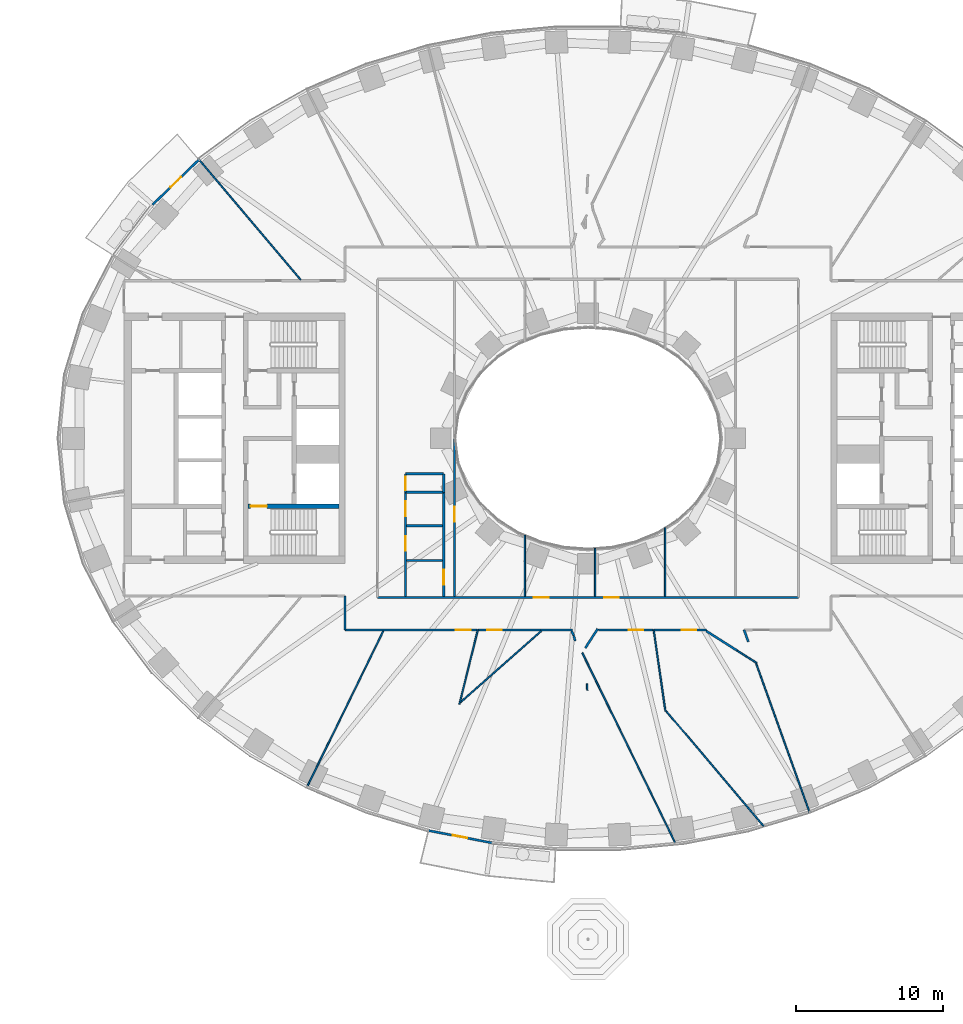
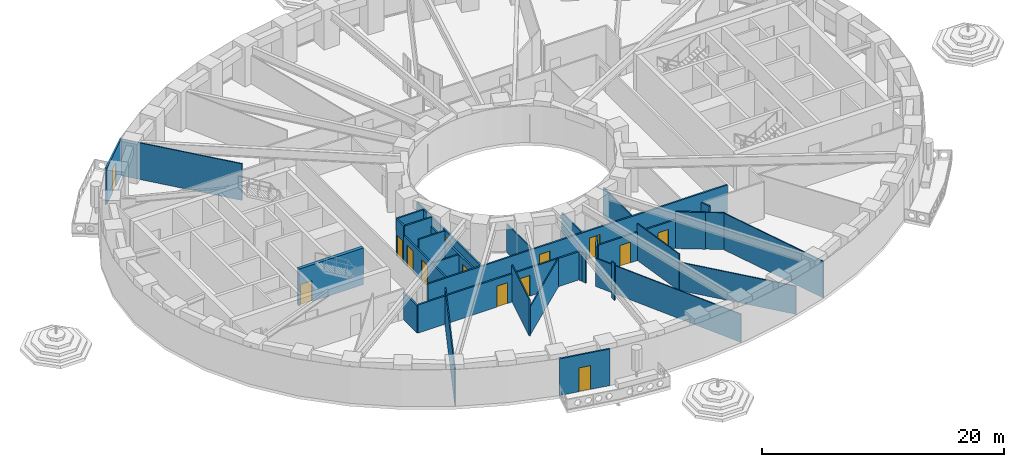
# One storey, part 4 of 20: 36 walls, 14 doors, 14 openings.
"""IFC4 building model written with IfcOpenShell, lengths in metres."""

import ifcopenshell
import ifcopenshell.guid

model = None  # the IFC model being written
_history = None  # IfcOwnerHistory: only IFC2X3 demands one
_inside = {}  # id of a spatial element -> (the spatial element, [elements in it])
_under = {}  # id of a project, library or spatial element -> (it, [spatial elements below it])
_declared = {}  # id of a project -> (the project, [libraries it declares])
_typed = {}  # id of a type object -> (the type object, [elements of that type])
_made_of = {}  # id of a material, layer set ... -> (it, [elements and type objects made of it])


def new_model(schema):
    """Start an empty IFC model of exactly this schema.

    Asked for "IFC4X3", IfcOpenShell would pick the latest addendum, in which some entities
    have other attributes; the version numbers below select the first issue.
    IFC2X3 requires an IfcOwnerHistory on every rooted entity: one is made here for all.
    """
    global model, _history
    if schema == "IFC4X3":
        model = ifcopenshell.file(schema_version=(4, 3, 0, 0))
    else:
        model = ifcopenshell.file(schema=schema)
    _inside.clear()
    _under.clear()
    _declared.clear()
    _typed.clear()
    _made_of.clear()
    _history = None
    if model.schema == "IFC2X3":
        org = make("IfcOrganization", Name="unknown")
        user = make(
            "IfcPersonAndOrganization",
            ThePerson=make("IfcPerson", FamilyName="unknown"),
            TheOrganization=org,
        )
        app = make(
            "IfcApplication",
            ApplicationDeveloper=org,
            Version="unknown",
            ApplicationFullName="unknown",
            ApplicationIdentifier="unknown",
        )
        _history = make(
            "IfcOwnerHistory",
            OwningUser=user,
            OwningApplication=app,
            ChangeAction="ADDED",
            CreationDate=0,
        )
    return model


def make(cls, **values):
    """One entity of the class cls with the attributes given. An attribute that is None is left unset."""
    return model.create_entity(
        cls, **{name: value for name, value in values.items() if value is not None}
    )


def rooted(cls, **values):
    """An entity with a GlobalId (a new one), such as an element, a storey or a relation."""
    return make(cls, GlobalId=ifcopenshell.guid.new(), OwnerHistory=_history, **values)


def si_unit(unit_type, name, prefix=None):
    """IfcSIUnit, for example si_unit("LENGTHUNIT", "METRE", prefix="MILLI")."""
    return make("IfcSIUnit", UnitType=unit_type, Prefix=prefix, Name=name)


def assignment(units):
    """IfcUnitAssignment: the units of a project."""
    return None if units is None else make("IfcUnitAssignment", Units=units)


def point(xyz):
    """IfcCartesianPoint."""
    return None if xyz is None else make("IfcCartesianPoint", Coordinates=xyz)


def direction(xyz):
    """IfcDirection."""
    return None if xyz is None else make("IfcDirection", DirectionRatios=xyz)


def frame(location, z_axis=None, x_axis=None):
    """IfcAxis2Placement3D, a coordinate frame: its origin and axes. An axis left out is left unset."""
    return make(
        "IfcAxis2Placement3D",
        Location=point(location),
        Axis=direction(z_axis),
        RefDirection=direction(x_axis),
    )


def frame_2d(location, x_axis=None):
    """IfcAxis2Placement2D, a coordinate frame in the plane: its origin and x axis."""
    return make(
        "IfcAxis2Placement2D", Location=point(location), RefDirection=direction(x_axis)
    )


def origin():
    """The frame at (0, 0, 0) with its axes left unset."""
    return frame((0.0, 0.0, 0.0))


def place(relative_to, where):
    """IfcLocalPlacement: puts the frame where relative to a parent placement (None: the world)."""
    return make(
        "IfcLocalPlacement", PlacementRelTo=relative_to, RelativePlacement=where
    )


def context(
    kind, dimensions, precision=None, world=None, true_north=None, identifier=None
):
    """IfcGeometricRepresentationContext, for example the 3D "Model" context."""
    return make(
        "IfcGeometricRepresentationContext",
        ContextIdentifier=identifier,
        ContextType=kind,
        CoordinateSpaceDimension=dimensions,
        Precision=precision,
        WorldCoordinateSystem=world,
        TrueNorth=true_north,
    )


def subcontext(parent, identifier, kind, view, scale=None):
    """IfcGeometricRepresentationSubContext, for example "Body" below "Model"."""
    return make(
        "IfcGeometricRepresentationSubContext",
        ContextIdentifier=identifier,
        ContextType=kind,
        ParentContext=parent,
        TargetScale=scale,
        TargetView=view,
    )


def project(units=None, contexts=None):
    """IfcProject with its units and contexts."""
    return rooted(
        "IfcProject",
        Name="project",
        RepresentationContexts=contexts,
        UnitsInContext=assignment(units),
    )


def spatial(cls, under=None, at=None, **own):
    """A site, building, storey or space (cls), placed at a placement, below another one or the project."""
    s = rooted(cls, ObjectPlacement=at, **own)
    if under is not None:
        _under.setdefault(under.id(), (under, []))[1].append(s)
    return s


def profile(cls, at=None, kind="AREA", **sizes):
    """A parametric profile (cls). Its sizes go by their IFC names, for example OverallWidth=200.0."""
    return make(cls, ProfileType=kind, Position=at, **sizes)


def rectangle(**sizes):
    """IfcRectangleProfileDef."""
    return profile("IfcRectangleProfileDef", **sizes)


def extrude(swept, where, along, depth):
    """IfcExtrudedAreaSolid: the profile swept, set in the frame where, extruded along a direction by depth."""
    return make(
        "IfcExtrudedAreaSolid",
        SweptArea=swept,
        Position=where,
        ExtrudedDirection=direction(along),
        Depth=depth,
    )


def shape(context_of_items, identifier, shape_type, items):
    """IfcShapeRepresentation: the items that make up one representation, for example the "Body"."""
    return make(
        "IfcShapeRepresentation",
        ContextOfItems=context_of_items,
        RepresentationIdentifier=identifier,
        RepresentationType=shape_type,
        Items=items,
    )


def material(Name=None, Category=None):
    """IfcMaterial."""
    return make("IfcMaterial", Name=Name, Category=Category)


def layer(
    of_material, thickness, ventilated=None, Name=None, Category=None, Priority=None
):
    """IfcMaterialLayer: one layer of a wall or slab, of a material (None: an air gap)."""
    return make(
        "IfcMaterialLayer",
        Material=of_material,
        LayerThickness=thickness,
        IsVentilated=ventilated,
        Name=Name,
        Category=Category,
        Priority=Priority,
    )


def layer_set(layers, Name=None):
    """IfcMaterialLayerSet."""
    return make("IfcMaterialLayerSet", MaterialLayers=layers, LayerSetName=Name)


def made_of(thing, what):
    """Note that an element or type object is made of a material, layer set ...; save() writes the relation."""
    if what is not None:
        _made_of.setdefault(what.id(), (what, []))[1].append(thing)
    return thing


def type_object(cls, material=None, **own):
    """A type object (cls), such as IfcWallType, which elements share."""
    return made_of(rooted(cls, **own), material)


def element(
    cls,
    number,
    at=None,
    inside=None,
    cuts=None,
    type_object=None,
    material=None,
    context=None,
    identifier="Body",
    shape_type=None,
    held_by="IfcProductDefinitionShape",
    body=None,
    shapes=None,
    **own,
):
    """One element of the class cls, such as IfcWall. Its Tag is "e" and its number.

    at: its placement. inside: the storey or other place that contains it. cuts: it is an
    opening in that element (IfcRelVoidsElement). A single representation is given by context,
    identifier, shape_type and body (its items); several are given by shapes. held_by: the class
    of the entity that holds the representations. save() writes the other relations.
    """
    e = rooted(cls, Tag="e%d" % number, ObjectPlacement=at, **own)
    if body is not None:
        shapes = [shape(context, identifier, shape_type, body)]
    if shapes is not None:
        e.Representation = make(held_by, Representations=shapes)
    if inside is not None:
        _inside.setdefault(inside.id(), (inside, []))[1].append(e)
    if cuts is not None:
        rooted(
            "IfcRelVoidsElement", RelatingBuildingElement=cuts, RelatedOpeningElement=e
        )
    if type_object is not None:
        _typed.setdefault(type_object.id(), (type_object, []))[1].append(e)
    return made_of(e, material)


def fill(opening, filler):
    """IfcRelFillsElement: the door or window that sits in an opening."""
    return rooted(
        "IfcRelFillsElement",
        RelatingOpeningElement=opening,
        RelatedBuildingElement=filler,
    )


def aggregate(whole, parts):
    """IfcRelAggregates: a whole, such as a stair, and the parts it consists of."""
    return rooted("IfcRelAggregates", RelatingObject=whole, RelatedObjects=parts)


def save(model, path):
    """Write the relations noted so far, then the file.

    IfcRelAggregates (storeys below a building ...), IfcRelContainedInSpatialStructure (elements
    in a storey), IfcRelDefinesByType, IfcRelAssociatesMaterial and IfcRelDeclares: one each for
    every whole, place, type object, material and project.
    """
    for whole, parts in _under.values():
        aggregate(whole, parts)
    for where, things in _inside.values():
        rooted(
            "IfcRelContainedInSpatialStructure",
            RelatedElements=things,
            RelatingStructure=where,
        )
    for kind, things in _typed.values():
        rooted("IfcRelDefinesByType", RelatedObjects=things, RelatingType=kind)
    for what, things in _made_of.values():
        rooted("IfcRelAssociatesMaterial", RelatedObjects=things, RelatingMaterial=what)
    for by, libraries in _declared.values():
        rooted("IfcRelDeclares", RelatingContext=by, RelatedDefinitions=libraries)
    model.write(path)


model = new_model("IFC4")

# Units and contexts
model_context = context("Model", 3, precision=1e-05, world=origin(), true_north=direction((0.0, 1.0)))
body_context = subcontext(model_context, "Body", "Model", "MODEL_VIEW")
ifc_project = project(units=[si_unit("LENGTHUNIT", "METRE"), si_unit("AREAUNIT", "SQUARE_METRE"), si_unit("VOLUMEUNIT", "CUBIC_METRE"), si_unit("PLANEANGLEUNIT", "RADIAN"), si_unit("MASSUNIT", "GRAM", prefix="KILO")], contexts=[model_context])

# Site, building, storey
site_placement = place(None, origin())
site = spatial("IfcSite", under=ifc_project, at=site_placement, CompositionType="ELEMENT")
building_placement = place(site_placement, origin())
building = spatial("IfcBuilding", under=site, at=building_placement, Name="Noorbagh Ring Tower", CompositionType="ELEMENT")
storey_placement = place(building_placement, frame((0.0, 0.0, 34.5)))
storey = spatial("IfcBuildingStorey", under=building, at=storey_placement, Name="L06", CompositionType="ELEMENT", Elevation=34.5)

# Wall, opening, door
ifc_material_1 = material(Name="Gypsum board on steel studs", Category="steel")
ifc_layer_1 = layer(ifc_material_1, 0.14990234375)
ifc_layer_set_1 = layer_set([ifc_layer_1], Name="Gypsum board on steel studs")
wall_type_1 = type_object("IfcWallType", Name="COMPARTMENT PARTITION 150 EI 60", PredefinedType="PARTITIONING", material=ifc_layer_set_1)
wall_1_placement = place(storey_placement, frame((-12.39990234375, -3.659912109375, 0.0), z_axis=(0.0, 0.0, 1.0), x_axis=(0.0, 1.0, 0.0)))
wall_1 = element("IfcWall", 1, at=wall_1_placement, inside=storey, type_object=wall_type_1, Name="L06/wall/P22", PredefinedType="PARTITIONING", context=body_context, shape_type="SweptSolid", body=[
    extrude(rectangle(XDim=1.260009765625, YDim=0.14990234375, at=frame_2d((0.6298828125, 0.0))), origin(), (0.0, 0.0, 1.0), 3.699951171875),
])
opening_1_placement = place(wall_1_placement, frame((0.14990234375, 0.0, 0.0)))
opening_1 = element("IfcOpeningElement", 2, at=opening_1_placement, cuts=wall_1, Name="Opening D4", PredefinedType="OPENING", context=body_context, shape_type="SweptSolid", body=[
    extrude(rectangle(XDim=0.89990234375, YDim=2.10009765625, at=frame_2d((0.449951171875, 1.050048828125))), frame((0.0, 0.0849609375, 0.0), z_axis=(0.0, -1.0, 0.0), x_axis=(1.0, 0.0, 0.0)), (0.0, 0.0, 1.0), 0.169921875),
])
ifc_material_2 = material(Name="Timber, painted", Category="wood")
door_type_1 = type_object("IfcDoorType", Name="DOOR 900 X 2100 FD60", OperationType="SINGLE_SWING_LEFT", PredefinedType="DOOR", material=ifc_material_2)
door_1_placement = place(opening_1_placement, origin())
door_1 = element("IfcDoor", 3, at=door_1_placement, inside=storey, type_object=door_type_1, Name="L06-D05", OperationType="SINGLE_SWING_LEFT", OverallHeight=2.10009765625, OverallWidth=0.89990234375, PredefinedType="DOOR", context=body_context, shape_type="SweptSolid", body=[
    extrude(rectangle(XDim=0.89990234375, YDim=2.10009765625, at=frame_2d((0.449951171875, 1.050048828125))), frame((0.0, 0.02490234375, 0.0), z_axis=(0.0, -1.0, 0.0), x_axis=(1.0, 0.0, 0.0)), (0.0, 0.0, 1.0), 0.050048828125),
])
fill(opening_1, door_1)

# Walls
wall_2_placement = place(storey_placement, frame((-12.39990234375, -3.659912109375, 0.0), z_axis=(0.0, 0.0, 1.0), x_axis=(1.0, 0.0, 0.0)))
element("IfcWall", 4, at=wall_2_placement, inside=storey, type_object=wall_type_1, Name="L06/wall/P23", PredefinedType="PARTITIONING", context=body_context, shape_type="SweptSolid", body=[
    extrude(rectangle(XDim=2.599853515625, YDim=0.14990234375, at=frame_2d((1.2998046875, 0.0))), origin(), (0.0, 0.0, 1.0), 3.699951171875),
])
wall_3_placement = place(storey_placement, frame((-12.39990234375, -2.39990234375, 0.0), z_axis=(0.0, 0.0, 1.0), x_axis=(1.0, 0.0, 0.0)))
element("IfcWall", 5, at=wall_3_placement, inside=storey, type_object=wall_type_1, Name="L06/wall/P24", PredefinedType="PARTITIONING", context=body_context, shape_type="SweptSolid", body=[
    extrude(rectangle(XDim=2.595947265625, YDim=0.14990234375, at=frame_2d((1.2978515625, 0.0))), origin(), (0.0, 0.0, 1.0), 3.699951171875),
])
wall_4_placement = place(storey_placement, frame((-9.800048828125, -3.659912109375, 0.0), z_axis=(0.0, 0.0, 1.0), x_axis=(0.0, 1.0, 0.0)))
element("IfcWall", 6, at=wall_4_placement, inside=storey, type_object=wall_type_1, Name="L06/wall/P27", PredefinedType="PARTITIONING", context=body_context, shape_type="SweptSolid", body=[
    extrude(rectangle(XDim=1.255859375, YDim=0.14990234375, at=frame_2d((0.6279296875, 0.0))), origin(), (0.0, 0.0, 1.0), 3.699951171875),
])

# Wall, opening, door
ifc_material_3 = material(Name="Concrete C70/85", Category="concrete")
ifc_layer_2 = layer(ifc_material_3, 0.300048828125)
ifc_layer_set_2 = layer_set([ifc_layer_2], Name="Concrete C70/85")
wall_type_2 = type_object("IfcWallType", Name="CORE-WALL-300-C70-85-EI240", PredefinedType="SHEAR", material=ifc_layer_set_2)
wall_5_placement = place(storey_placement, frame((-16.89990234375, -4.60009765625, 0.0), z_axis=(0.0, 0.0, 1.0), x_axis=(-1.0, 0.0, 0.0)))
wall_5 = element("IfcWall", 7, at=wall_5_placement, inside=storey, type_object=wall_type_2, Name="Core wall W", PredefinedType="SHEAR", context=body_context, shape_type="SweptSolid", body=[
    extrude(rectangle(XDim=6.18017578125, YDim=0.300048828125, at=frame_2d((3.090087890625, 0.0))), origin(), (0.0, 0.0, 1.0), 3.699951171875),
])
opening_2_placement = place(wall_5_placement, frame((4.89990234375, 0.0, 0.0)))
opening_2 = element("IfcOpeningElement", 8, at=opening_2_placement, cuts=wall_5, Name="Opening L06-CW06", PredefinedType="OPENING", context=body_context, shape_type="SweptSolid", body=[
    extrude(rectangle(XDim=1.10009765625, YDim=2.10009765625, at=frame_2d((0.550048828125, 1.050048828125))), frame((0.0, 0.16015625, 0.0), z_axis=(0.0, -1.0, 0.0), x_axis=(1.0, 0.0, 0.0)), (0.0, 0.0, 1.0), 0.320068359375),
])
ifc_material_4 = material(Name="Steel door leaf", Category="steel")
door_type_2 = type_object("IfcDoorType", Name="CORE-DOOR-DSTAIR", OperationType="SINGLE_SWING_LEFT", PredefinedType="DOOR", material=ifc_material_4)
door_2_placement = place(opening_2_placement, origin())
door_2 = element("IfcDoor", 9, at=door_2_placement, inside=storey, type_object=door_type_2, Name="Stair door ST2 L06-CW06", OperationType="SINGLE_SWING_LEFT", OverallHeight=2.10009765625, OverallWidth=1.10009765625, PredefinedType="DOOR", context=body_context, shape_type="SweptSolid", body=[
    extrude(rectangle(XDim=1.10009765625, YDim=2.10009765625, at=frame_2d((0.550048828125, 1.050048828125))), frame((0.0, 0.02490234375, 0.0), z_axis=(0.0, -1.0, 0.0), x_axis=(1.0, 0.0, 0.0)), (0.0, 0.0, 1.0), 0.050048828125),
])
fill(opening_2, door_2)

# Wall
ifc_material_5 = material(Name="Gypsum board on steel studs", Category="steel")
ifc_layer_3 = layer(ifc_material_5, 0.14990234375)
ifc_layer_set_3 = layer_set([ifc_layer_3], Name="Gypsum board on steel studs")
wall_type_3 = type_object("IfcWallType", Name="CORRIDOR PARTITION 150 EI 30", PredefinedType="PARTITIONING", material=ifc_layer_set_3)
wall_6_placement = place(storey_placement, frame((-16.5, -13.0, 0.0), z_axis=(0.0, 0.0, 1.0), x_axis=(0.0, 1.0, 0.0)))
element("IfcWall", 10, at=wall_6_placement, inside=storey, type_object=wall_type_3, Name="L06/wall/P12", PredefinedType="PARTITIONING", context=body_context, shape_type="SweptSolid", body=[
    extrude(rectangle(XDim=2.300048828125, YDim=0.14990234375, at=frame_2d((1.14990234375, 0.0))), origin(), (0.0, 0.0, 1.0), 2.75),
])

# Wall, opening, door
wall_7_placement = place(storey_placement, frame((-16.5, -13.0, 0.0), z_axis=(0.0, 0.0, 1.0), x_axis=(1.0, 0.0, 0.0)))
wall_7 = element("IfcWall", 11, at=wall_7_placement, inside=storey, type_object=wall_type_3, Name="L06/wall/P13", PredefinedType="PARTITIONING", context=body_context, shape_type="SweptSolid", body=[
    extrude(rectangle(XDim=9.0009765625, YDim=0.14990234375, at=frame_2d((4.50048828125, 0.0))), origin(), (0.0, 0.0, 1.0), 2.85009765625),
])
opening_3_placement = place(wall_7_placement, frame((7.529052734375, 0.0, 0.0)))
opening_3 = element("IfcOpeningElement", 12, at=opening_3_placement, cuts=wall_7, Name="Opening D1", PredefinedType="OPENING", context=body_context, shape_type="SweptSolid", body=[
    extrude(rectangle(XDim=1.0, YDim=2.10009765625, at=frame_2d((0.5, 1.050048828125))), frame((0.0, 0.0849609375, 0.0), z_axis=(0.0, -1.0, 0.0), x_axis=(1.0, 0.0, 0.0)), (0.0, 0.0, 1.0), 0.169921875),
])
ifc_material_6 = material(Name="Timber, painted", Category="wood")
door_type_3 = type_object("IfcDoorType", Name="DOOR 1000 X 2100 FD30", OperationType="SINGLE_SWING_LEFT", PredefinedType="DOOR", material=ifc_material_6)
door_3_placement = place(opening_3_placement, origin())
door_3 = element("IfcDoor", 13, at=door_3_placement, inside=storey, type_object=door_type_3, Name="L06-D12", OperationType="SINGLE_SWING_RIGHT", OverallHeight=2.10009765625, OverallWidth=1.0, PredefinedType="DOOR", context=body_context, shape_type="SweptSolid", body=[
    extrude(rectangle(XDim=1.0, YDim=2.10009765625, at=frame_2d((0.5, 1.050048828125))), frame((0.0, 0.02490234375, 0.0), z_axis=(0.0, -1.0, 0.0), x_axis=(1.0, 0.0, 0.0)), (0.0, 0.0, 1.0), 0.050048828125),
])
fill(opening_3, door_3)

# Wall, openings, doors
wall_8_placement = place(storey_placement, frame((-14.300048828125, -10.800048828125, 0.0), z_axis=(0.0, 0.0, 1.0), x_axis=(1.0, 0.0, 0.0)))
wall_8 = element("IfcWall", 14, at=wall_8_placement, inside=storey, type_object=wall_type_3, Name="L06/wall/P17", PredefinedType="PARTITIONING", context=body_context, shape_type="SweptSolid", body=[
    extrude(rectangle(XDim=28.60009765625, YDim=0.14990234375, at=frame_2d((14.300048828125, 0.0))), origin(), (0.0, 0.0, 1.0), 2.85009765625),
])
opening_4_placement = place(wall_8_placement, frame((10.626953125, 0.0, 0.0)))
opening_4 = element("IfcOpeningElement", 15, at=opening_4_placement, cuts=wall_8, Name="Opening D1", PredefinedType="OPENING", context=body_context, shape_type="SweptSolid", body=[
    extrude(rectangle(XDim=1.0, YDim=2.10009765625, at=frame_2d((0.5, 1.050048828125))), frame((0.0, 0.0849609375, 0.0), z_axis=(0.0, -1.0, 0.0), x_axis=(1.0, 0.0, 0.0)), (0.0, 0.0, 1.0), 0.169921875),
])
opening_5_placement = place(wall_8_placement, frame((15.39306640625, 0.0, 0.0)))
opening_5 = element("IfcOpeningElement", 16, at=opening_5_placement, cuts=wall_8, Name="Opening D1", PredefinedType="OPENING", context=body_context, shape_type="SweptSolid", body=[
    extrude(rectangle(XDim=1.0, YDim=2.10009765625, at=frame_2d((0.5, 1.050048828125))), frame((0.0, 0.0849609375, 0.0), z_axis=(0.0, -1.0, 0.0), x_axis=(1.0, 0.0, 0.0)), (0.0, 0.0, 1.0), 0.169921875),
])
door_4_placement = place(opening_4_placement, origin())
door_4 = element("IfcDoor", 17, at=door_4_placement, inside=storey, type_object=door_type_3, Name="L06-D26", OperationType="SINGLE_SWING_RIGHT", OverallHeight=2.10009765625, OverallWidth=1.0, PredefinedType="DOOR", context=body_context, shape_type="SweptSolid", body=[
    extrude(rectangle(XDim=1.0, YDim=2.10009765625, at=frame_2d((0.5, 1.050048828125))), frame((0.0, 0.02490234375, 0.0), z_axis=(0.0, -1.0, 0.0), x_axis=(1.0, 0.0, 0.0)), (0.0, 0.0, 1.0), 0.050048828125),
])
fill(opening_4, door_4)
door_5_placement = place(opening_5_placement, origin())
door_5 = element("IfcDoor", 18, at=door_5_placement, inside=storey, type_object=door_type_3, Name="L06-D28", OperationType="SINGLE_SWING_RIGHT", OverallHeight=2.10009765625, OverallWidth=1.0, PredefinedType="DOOR", context=body_context, shape_type="SweptSolid", body=[
    extrude(rectangle(XDim=1.0, YDim=2.10009765625, at=frame_2d((0.5, 1.050048828125))), frame((0.0, 0.02490234375, 0.0), z_axis=(0.0, -1.0, 0.0), x_axis=(1.0, 0.0, 0.0)), (0.0, 0.0, 1.0), 0.050048828125),
])
fill(opening_5, door_5)

wall_9_placement = place(storey_placement, frame((-12.39990234375, -10.72509765625, 0.0), z_axis=(0.0, 0.0, 1.0), x_axis=(0.0, 1.0, 0.0)))
wall_9 = element("IfcWall", 19, at=wall_9_placement, inside=storey, type_object=wall_type_3, Name="L06/wall/P19", PredefinedType="PARTITIONING", context=body_context, shape_type="SweptSolid", body=[
    extrude(rectangle(XDim=7.065185546875, YDim=0.14990234375, at=frame_2d((3.53271484375, 0.0))), origin(), (0.0, 0.0, 1.0), 2.75),
])
opening_6_placement = place(wall_9_placement, frame((3.094970703125, 0.0, 0.0)))
opening_6 = element("IfcOpeningElement", 20, at=opening_6_placement, cuts=wall_9, Name="Opening D3", PredefinedType="OPENING", context=body_context, shape_type="SweptSolid", body=[
    extrude(rectangle(XDim=1.0, YDim=2.10009765625, at=frame_2d((0.5, 1.050048828125))), frame((0.0, 0.0849609375, 0.0), z_axis=(0.0, -1.0, 0.0), x_axis=(1.0, 0.0, 0.0)), (0.0, 0.0, 1.0), 0.169921875),
])
opening_7_placement = place(wall_9_placement, frame((5.447021484375, 0.0, 0.0)))
opening_7 = element("IfcOpeningElement", 21, at=opening_7_placement, cuts=wall_9, Name="Opening D3", PredefinedType="OPENING", context=body_context, shape_type="SweptSolid", body=[
    extrude(rectangle(XDim=1.0, YDim=2.10009765625, at=frame_2d((0.5, 1.050048828125))), frame((0.0, 0.0849609375, 0.0), z_axis=(0.0, -1.0, 0.0), x_axis=(1.0, 0.0, 0.0)), (0.0, 0.0, 1.0), 0.169921875),
])
ifc_material_7 = material(Name="Timber, painted", Category="wood")
door_type_4 = type_object("IfcDoorType", Name="DOOR 1000 X 2100 WC", OperationType="SINGLE_SWING_LEFT", PredefinedType="DOOR", material=ifc_material_7)
door_6_placement = place(opening_6_placement, origin())
door_6 = element("IfcDoor", 22, at=door_6_placement, inside=storey, type_object=door_type_4, Name="L06-D03", OperationType="SINGLE_SWING_LEFT", OverallHeight=2.10009765625, OverallWidth=1.0, PredefinedType="DOOR", context=body_context, shape_type="SweptSolid", body=[
    extrude(rectangle(XDim=1.0, YDim=2.10009765625, at=frame_2d((0.5, 1.050048828125))), frame((0.0, 0.02490234375, 0.0), z_axis=(0.0, -1.0, 0.0), x_axis=(1.0, 0.0, 0.0)), (0.0, 0.0, 1.0), 0.050048828125),
])
fill(opening_6, door_6)
door_7_placement = place(opening_7_placement, origin())
door_7 = element("IfcDoor", 23, at=door_7_placement, inside=storey, type_object=door_type_4, Name="L06-D04", OperationType="SINGLE_SWING_RIGHT", OverallHeight=2.10009765625, OverallWidth=1.0, PredefinedType="DOOR", context=body_context, shape_type="SweptSolid", body=[
    extrude(rectangle(XDim=1.0, YDim=2.10009765625, at=frame_2d((0.5, 1.050048828125))), frame((0.0, 0.02490234375, 0.0), z_axis=(0.0, -1.0, 0.0), x_axis=(1.0, 0.0, 0.0)), (0.0, 0.0, 1.0), 0.050048828125),
])
fill(opening_7, door_7)

# Walls
wall_10_placement = place(storey_placement, frame((-12.324951171875, -8.280029296875, 0.0), z_axis=(0.0, 0.0, 1.0), x_axis=(1.0, 0.0, 0.0)))
element("IfcWall", 24, at=wall_10_placement, inside=storey, type_object=wall_type_3, Name="L06/wall/P20", PredefinedType="PARTITIONING", context=body_context, shape_type="SweptSolid", body=[
    extrude(rectangle(XDim=2.449951171875, YDim=0.14990234375, at=frame_2d((1.22509765625, 0.0))), origin(), (0.0, 0.0, 1.0), 2.75),
])
wall_11_placement = place(storey_placement, frame((-12.324951171875, -5.927978515625, 0.0), z_axis=(0.0, 0.0, 1.0), x_axis=(1.0, 0.0, 0.0)))
element("IfcWall", 25, at=wall_11_placement, inside=storey, type_object=wall_type_3, Name="L06/wall/P21", PredefinedType="PARTITIONING", context=body_context, shape_type="SweptSolid", body=[
    extrude(rectangle(XDim=2.449951171875, YDim=0.14990234375, at=frame_2d((1.22509765625, 0.0))), origin(), (0.0, 0.0, 1.0), 3.699951171875),
])

# Wall, opening, door
wall_12_placement = place(storey_placement, frame((-9.800048828125, -10.72509765625, 0.0), z_axis=(0.0, 0.0, 1.0), x_axis=(0.0, 1.0, 0.0)))
wall_12 = element("IfcWall", 26, at=wall_12_placement, inside=storey, type_object=wall_type_3, Name="L06/wall/P26", PredefinedType="PARTITIONING", context=body_context, shape_type="SweptSolid", body=[
    extrude(rectangle(XDim=7.065185546875, YDim=0.14990234375, at=frame_2d((3.53271484375, 0.0))), origin(), (0.0, 0.0, 1.0), 2.75),
])
opening_8_placement = place(wall_12_placement, frame((0.794921875, 0.0, 0.0)))
opening_8 = element("IfcOpeningElement", 27, at=opening_8_placement, cuts=wall_12, Name="Opening D3", PredefinedType="OPENING", context=body_context, shape_type="SweptSolid", body=[
    extrude(rectangle(XDim=1.0, YDim=2.10009765625, at=frame_2d((0.5, 1.050048828125))), frame((0.0, 0.0849609375, 0.0), z_axis=(0.0, -1.0, 0.0), x_axis=(1.0, 0.0, 0.0)), (0.0, 0.0, 1.0), 0.169921875),
])
door_8_placement = place(opening_8_placement, origin())
door_8 = element("IfcDoor", 28, at=door_8_placement, inside=storey, type_object=door_type_4, Name="L06-D02", OperationType="SINGLE_SWING_RIGHT", OverallHeight=2.10009765625, OverallWidth=1.0, PredefinedType="DOOR", context=body_context, shape_type="SweptSolid", body=[
    extrude(rectangle(XDim=1.0, YDim=2.10009765625, at=frame_2d((0.5, 1.050048828125))), frame((0.0, 0.02490234375, 0.0), z_axis=(0.0, -1.0, 0.0), x_axis=(1.0, 0.0, 0.0)), (0.0, 0.0, 1.0), 0.050048828125),
])
fill(opening_8, door_8)

wall_13_placement = place(storey_placement, frame((-9.056884765625, -10.72509765625, 0.0), z_axis=(0.0, 0.0, 1.0), x_axis=(0.0, 1.0, 0.0)))
wall_13 = element("IfcWall", 29, at=wall_13_placement, inside=storey, type_object=wall_type_3, Name="L06/wall/P28", PredefinedType="PARTITIONING", context=body_context, shape_type="SweptSolid", body=[
    extrude(rectangle(XDim=10.68017578125, YDim=0.14990234375, at=frame_2d((5.340087890625, 0.0))), origin(), (0.0, 0.0, 1.0), 2.75),
])
opening_9_placement = place(wall_13_placement, frame((5.074951171875, 0.0, 0.0)))
opening_9 = element("IfcOpeningElement", 30, at=opening_9_placement, cuts=wall_13, Name="Opening D1", PredefinedType="OPENING", context=body_context, shape_type="SweptSolid", body=[
    extrude(rectangle(XDim=1.0, YDim=2.10009765625, at=frame_2d((0.5, 1.050048828125))), frame((0.0, 0.0849609375, 0.0), z_axis=(0.0, -1.0, 0.0), x_axis=(1.0, 0.0, 0.0)), (0.0, 0.0, 1.0), 0.169921875),
])
door_9_placement = place(opening_9_placement, origin())
door_9 = element("IfcDoor", 31, at=door_9_placement, inside=storey, type_object=door_type_3, Name="L06-D24", OperationType="SINGLE_SWING_RIGHT", OverallHeight=2.10009765625, OverallWidth=1.0, PredefinedType="DOOR", context=body_context, shape_type="SweptSolid", body=[
    extrude(rectangle(XDim=1.0, YDim=2.10009765625, at=frame_2d((0.5, 1.050048828125))), frame((0.0, 0.02490234375, 0.0), z_axis=(0.0, -1.0, 0.0), x_axis=(1.0, 0.0, 0.0)), (0.0, 0.0, 1.0), 0.050048828125),
])
fill(opening_9, door_9)

wall_14_placement = place(storey_placement, frame((-7.48291015625, -13.0, 0.0), z_axis=(0.0, 0.0, 1.0), x_axis=(1.0, 0.0, 0.0)))
wall_14 = element("IfcWall", 32, at=wall_14_placement, inside=storey, type_object=wall_type_3, Name="L06/wall/P32", PredefinedType="PARTITIONING", context=body_context, shape_type="SweptSolid", body=[
    extrude(rectangle(XDim=6.421875, YDim=0.14990234375, at=frame_2d((3.2109375, 0.0))), origin(), (0.0, 0.0, 1.0), 2.85009765625),
])
opening_10_placement = place(wall_14_placement, frame((0.634033203125, 0.0, 0.0)))
opening_10 = element("IfcOpeningElement", 33, at=opening_10_placement, cuts=wall_14, Name="Opening D1", PredefinedType="OPENING", context=body_context, shape_type="SweptSolid", body=[
    extrude(rectangle(XDim=1.0, YDim=2.10009765625, at=frame_2d((0.5, 1.050048828125))), frame((0.0, 0.0849609375, 0.0), z_axis=(0.0, -1.0, 0.0), x_axis=(1.0, 0.0, 0.0)), (0.0, 0.0, 1.0), 0.169921875),
])
door_10_placement = place(opening_10_placement, origin())
door_10 = element("IfcDoor", 34, at=door_10_placement, inside=storey, type_object=door_type_3, Name="L06-D15", OperationType="SINGLE_SWING_LEFT", OverallHeight=2.10009765625, OverallWidth=1.0, PredefinedType="DOOR", context=body_context, shape_type="SweptSolid", body=[
    extrude(rectangle(XDim=1.0, YDim=2.10009765625, at=frame_2d((0.5, 1.050048828125))), frame((0.0, 0.02490234375, 0.0), z_axis=(0.0, -1.0, 0.0), x_axis=(1.0, 0.0, 0.0)), (0.0, 0.0, 1.0), 0.050048828125),
])
fill(opening_10, door_10)

# Walls
wall_15_placement = place(storey_placement, frame((-1.111083984375, -13.0791015625, 0.0), z_axis=(0.0, 0.0, 1.0), x_axis=(0.440240923942, -0.897879685084, 0.0)))
element("IfcWall", 35, at=wall_15_placement, inside=storey, type_object=wall_type_3, Name="L06/wall/P36", PredefinedType="PARTITIONING", context=body_context, shape_type="SweptSolid", body=[
    extrude(rectangle(XDim=0.32275390625, YDim=0.14990234375, at=frame_2d((0.161376953125, 0.0))), origin(), (0.0, 0.0, 1.0), 2.85009765625),
])
wall_16_placement = place(storey_placement, frame((-0.965087890625, -13.385986328125, 0.0), z_axis=(0.0, 0.0, 1.0), x_axis=(0.240863917947, -0.97055889725, 0.0)))
element("IfcWall", 36, at=wall_16_placement, inside=storey, type_object=wall_type_3, Name="L06/wall/P38", PredefinedType="PARTITIONING", context=body_context, shape_type="SweptSolid", body=[
    extrude(rectangle(XDim=0.378173828125, YDim=0.14990234375, at=frame_2d((0.18896484375, 0.0))), origin(), (0.0, 0.0, 1.0), 2.85009765625),
])
wall_17_placement = place(storey_placement, frame((-0.18505859375, -14.23388671875, 0.0), z_axis=(0.0, 0.0, 1.0), x_axis=(0.542380278774, 0.840133104452, 0.0)))
element("IfcWall", 37, at=wall_17_placement, inside=storey, type_object=wall_type_3, Name="L06/wall/P43", PredefinedType="PARTITIONING", context=body_context, shape_type="SweptSolid", body=[
    extrude(rectangle(XDim=1.557861328125, YDim=0.14990234375, at=frame_2d((0.77880859375, 0.0))), origin(), (0.0, 0.0, 1.0), 3.699951171875),
])

# Wall, opening, door
wall_18_placement = place(storey_placement, frame((0.700927734375, -13.0, 0.0), z_axis=(0.0, 0.0, 1.0), x_axis=(1.0, 0.0, 0.0)))
wall_18 = element("IfcWall", 38, at=wall_18_placement, inside=storey, type_object=wall_type_3, Name="L06/wall/P53", PredefinedType="PARTITIONING", context=body_context, shape_type="SweptSolid", body=[
    extrude(rectangle(XDim=3.758056640625, YDim=0.14990234375, at=frame_2d((1.87890625, 0.0))), origin(), (0.0, 0.0, 1.0), 2.85009765625),
])
opening_11_placement = place(wall_18_placement, frame((2.06103515625, 0.0, 0.0)))
opening_11 = element("IfcOpeningElement", 39, at=opening_11_placement, cuts=wall_18, Name="Opening D1", PredefinedType="OPENING", context=body_context, shape_type="SweptSolid", body=[
    extrude(rectangle(XDim=1.0, YDim=2.10009765625, at=frame_2d((0.5, 1.050048828125))), frame((0.0, 0.0849609375, 0.0), z_axis=(0.0, -1.0, 0.0), x_axis=(1.0, 0.0, 0.0)), (0.0, 0.0, 1.0), 0.169921875),
])
door_11_placement = place(opening_11_placement, origin())
door_11 = element("IfcDoor", 40, at=door_11_placement, inside=storey, type_object=door_type_3, Name="L06-D16", OperationType="SINGLE_SWING_RIGHT", OverallHeight=2.10009765625, OverallWidth=1.0, PredefinedType="DOOR", context=body_context, shape_type="SweptSolid", body=[
    extrude(rectangle(XDim=1.0, YDim=2.10009765625, at=frame_2d((0.5, 1.050048828125))), frame((0.0, 0.02490234375, 0.0), z_axis=(0.0, -1.0, 0.0), x_axis=(1.0, 0.0, 0.0)), (0.0, 0.0, 1.0), 0.050048828125),
])
fill(opening_11, door_11)

wall_19_placement = place(storey_placement, frame((4.47900390625, -13.0, 0.0), z_axis=(0.0, 0.0, 1.0), x_axis=(1.0, 0.0, 0.0)))
wall_19 = element("IfcWall", 41, at=wall_19_placement, inside=storey, type_object=wall_type_3, Name="L06/wall/P58", PredefinedType="PARTITIONING", context=body_context, shape_type="SweptSolid", body=[
    extrude(rectangle(XDim=3.568115234375, YDim=0.14990234375, at=frame_2d((1.7841796875, 0.0))), origin(), (0.0, 0.0, 1.0), 2.85009765625),
])
opening_12_placement = place(wall_19_placement, frame((1.8798828125, 0.0, 0.0)))
opening_12 = element("IfcOpeningElement", 42, at=opening_12_placement, cuts=wall_19, Name="Opening D1", PredefinedType="OPENING", context=body_context, shape_type="SweptSolid", body=[
    extrude(rectangle(XDim=1.0, YDim=2.10009765625, at=frame_2d((0.5, 1.050048828125))), frame((0.0, 0.0849609375, 0.0), z_axis=(0.0, -1.0, 0.0), x_axis=(1.0, 0.0, 0.0)), (0.0, 0.0, 1.0), 0.169921875),
])
door_12_placement = place(opening_12_placement, origin())
door_12 = element("IfcDoor", 43, at=door_12_placement, inside=storey, type_object=door_type_3, Name="L06-D18", OperationType="SINGLE_SWING_RIGHT", OverallHeight=2.10009765625, OverallWidth=1.0, PredefinedType="DOOR", context=body_context, shape_type="SweptSolid", body=[
    extrude(rectangle(XDim=1.0, YDim=2.10009765625, at=frame_2d((0.5, 1.050048828125))), frame((0.0, 0.02490234375, 0.0), z_axis=(0.0, -1.0, 0.0), x_axis=(1.0, 0.0, 0.0)), (0.0, 0.0, 1.0), 0.050048828125),
])
fill(opening_12, door_12)

# Walls
wall_20_placement = place(storey_placement, frame((8.028076171875, -13.076904296875, 0.0), z_axis=(0.0, 0.0, 1.0), x_axis=(0.844718865656, -0.53521027457, 0.0)))
element("IfcWall", 44, at=wall_20_placement, inside=storey, type_object=wall_type_3, Name="L06/wall/P62", PredefinedType="PARTITIONING", context=body_context, shape_type="SweptSolid", body=[
    extrude(rectangle(XDim=2.49658203125, YDim=0.14990234375, at=frame_2d((1.248291015625, 0.0))), origin(), (0.0, 0.0, 1.0), 3.699951171875),
])
wall_21_placement = place(storey_placement, frame((10.594970703125, -13.0, 0.0), z_axis=(0.0, 0.0, 1.0), x_axis=(0.338659506624, -0.940908995904, 0.0)))
element("IfcWall", 45, at=wall_21_placement, inside=storey, type_object=wall_type_3, Name="L06/wall/P67", PredefinedType="PARTITIONING", context=body_context, shape_type="SweptSolid", body=[
    extrude(rectangle(XDim=0.864990234375, YDim=0.14990234375, at=frame_2d((0.4326171875, 0.0))), origin(), (0.0, 0.0, 1.0), 3.699951171875),
])

# Wall, opening, door
ifc_material_8 = material(Name="Insulated aluminium clad panel", Category="aluminium")
ifc_layer_4 = layer(ifc_material_8, 0.14990234375)
ifc_layer_set_4 = layer_set([ifc_layer_4], Name="Insulated aluminium clad panel")
wall_type_4 = type_object("IfcWallType", Name="ENV-WALL-DOOR", PredefinedType="STANDARD", material=ifc_layer_set_4)
wall_22_placement = place(storey_placement, frame((-26.396484375, 18.943359375, 0.0), z_axis=(0.0, 0.0, 1.0), x_axis=(-0.717214761864, -0.696852197647, 0.0)))
wall_22 = element("IfcWall", 46, at=wall_22_placement, inside=storey, type_object=wall_type_4, Name="Balcony door wall chord 19", PredefinedType="STANDARD", context=body_context, shape_type="SweptSolid", body=[
    extrude(rectangle(XDim=4.424072265625, YDim=0.14990234375, at=frame_2d((2.2119140625, 0.0))), origin(), (0.0, 0.0, 1.0), 3.699951171875),
])
opening_13_placement = place(wall_22_placement, frame((1.712158203125, 0.0, 0.0)))
opening_13 = element("IfcOpeningElement", 47, at=opening_13_placement, cuts=wall_22, Name="Opening D-BL", PredefinedType="OPENING", context=body_context, shape_type="SweptSolid", body=[
    extrude(rectangle(XDim=1.0, YDim=2.39990234375, at=frame_2d((0.5, 1.199951171875))), frame((0.0, 0.0849609375, 0.0), z_axis=(0.0, -1.0, 0.0), x_axis=(1.0, 0.0, 0.0)), (0.0, 0.0, 1.0), 0.169921875),
])
ifc_material_9 = material(Name="Aluminium and glass", Category="aluminium")
door_type_5 = type_object("IfcDoorType", Name="ENV-DOOR-BALCONY", OperationType="SINGLE_SWING_LEFT", PredefinedType="DOOR", material=ifc_material_9)
door_13_placement = place(opening_13_placement, origin())
door_13 = element("IfcDoor", 48, at=door_13_placement, inside=storey, type_object=door_type_5, Name="Balcony door chord 19", OperationType="SINGLE_SWING_LEFT", OverallHeight=2.39990234375, OverallWidth=1.0, PredefinedType="DOOR", context=body_context, shape_type="SweptSolid", body=[
    extrude(rectangle(XDim=1.0, YDim=2.39990234375, at=frame_2d((0.5, 1.199951171875))), frame((0.0, 0.02490234375, 0.0), z_axis=(0.0, -1.0, 0.0), x_axis=(1.0, 0.0, 0.0)), (0.0, 0.0, 1.0), 0.050048828125),
])
fill(opening_13, door_13)

wall_23_placement = place(storey_placement, frame((-10.87060546875, -26.616943359375, 0.0), z_axis=(0.0, 0.0, 1.0), x_axis=(0.981631174778, -0.190788460615, 0.0)))
wall_23 = element("IfcWall", 49, at=wall_23_placement, inside=storey, type_object=wall_type_4, Name="Balcony door wall chord 33", PredefinedType="STANDARD", context=body_context, shape_type="SweptSolid", body=[
    extrude(rectangle(XDim=4.42626953125, YDim=0.14990234375, at=frame_2d((2.213134765625, 0.0))), origin(), (0.0, 0.0, 1.0), 3.699951171875),
])
opening_14_placement = place(wall_23_placement, frame((1.713134765625, 0.0, 0.0)))
opening_14 = element("IfcOpeningElement", 50, at=opening_14_placement, cuts=wall_23, Name="Opening D-BL", PredefinedType="OPENING", context=body_context, shape_type="SweptSolid", body=[
    extrude(rectangle(XDim=1.0, YDim=2.39990234375, at=frame_2d((0.5, 1.199951171875))), frame((0.0, 0.0849609375, 0.0), z_axis=(0.0, -1.0, 0.0), x_axis=(1.0, 0.0, 0.0)), (0.0, 0.0, 1.0), 0.169921875),
])
door_14_placement = place(opening_14_placement, origin())
door_14 = element("IfcDoor", 51, at=door_14_placement, inside=storey, type_object=door_type_5, Name="Balcony door chord 33", OperationType="SINGLE_SWING_LEFT", OverallHeight=2.39990234375, OverallWidth=1.0, PredefinedType="DOOR", context=body_context, shape_type="SweptSolid", body=[
    extrude(rectangle(XDim=1.0, YDim=2.39990234375, at=frame_2d((0.5, 1.199951171875))), frame((0.0, 0.02490234375, 0.0), z_axis=(0.0, -1.0, 0.0), x_axis=(1.0, 0.0, 0.0)), (0.0, 0.0, 1.0), 0.050048828125),
])
fill(opening_14, door_14)

# Walls
ifc_material_10 = material(Name="Gypsum board on steel studs", Category="steel")
ifc_layer_5 = layer(ifc_material_10, 0.10009765625)
ifc_layer_set_5 = layer_set([ifc_layer_5], Name="Gypsum board on steel studs")
wall_type_5 = type_object("IfcWallType", Name="PARTITION 100 GYPSUM", PredefinedType="PARTITIONING", material=ifc_layer_set_5)
wall_24_placement = place(storey_placement, frame((-26.429931640625, 18.945068359375, 0.0), z_axis=(0.0, 0.0, 1.0), x_axis=(0.646400187952, -0.762998556365, 0.0)))
element("IfcWall", 52, at=wall_24_placement, inside=storey, type_object=wall_type_5, Name="L06/wall/P09", PredefinedType="PARTITIONING", context=body_context, shape_type="SweptSolid", body=[
    extrude(rectangle(XDim=10.703857421875, YDim=0.10009765625, at=frame_2d((5.35205078125, 0.0))), origin(), (0.0, 0.0, 1.0), 3.699951171875),
])
wall_25_placement = place(storey_placement, frame((-19.0859375, -23.68505859375, 0.0), z_axis=(0.0, 0.0, 1.0), x_axis=(0.439199750603, 0.898389436197, 0.0)))
element("IfcWall", 53, at=wall_25_placement, inside=storey, type_object=wall_type_5, Name="L06/wall/P10", PredefinedType="PARTITIONING", context=body_context, shape_type="SweptSolid", body=[
    extrude(rectangle(XDim=11.81005859375, YDim=0.10009765625, at=frame_2d((5.905029296875, 0.0))), origin(), (0.0, 0.0, 1.0), 3.699951171875),
])
wall_26_placement = place(storey_placement, frame((-8.72900390625, -18.0458984375, 0.0), z_axis=(0.0, 0.0, 1.0), x_axis=(0.239749411988, 0.970834805439, 0.0)))
element("IfcWall", 54, at=wall_26_placement, inside=storey, type_object=wall_type_5, Name="L06/wall/P30", PredefinedType="PARTITIONING", context=body_context, shape_type="SweptSolid", body=[
    extrude(rectangle(XDim=5.197509765625, YDim=0.10009765625, at=frame_2d((2.5986328125, 0.0))), origin(), (0.0, 0.0, 1.0), 3.699951171875),
])
wall_27_placement = place(storey_placement, frame((-8.64208984375, -17.903076171875, 0.0), z_axis=(0.0, 0.0, 1.0), x_axis=(0.749027274438, 0.662539162728, 0.0)))
element("IfcWall", 55, at=wall_27_placement, inside=storey, type_object=wall_type_5, Name="L06/wall/P31", PredefinedType="PARTITIONING", context=body_context, shape_type="SweptSolid", body=[
    extrude(rectangle(XDim=7.282958984375, YDim=0.10009765625, at=frame_2d((3.6416015625, 0.0))), origin(), (0.0, 0.0, 1.0), 2.85009765625),
])
wall_28_placement = place(storey_placement, frame((-4.2900390625, -10.72509765625, 0.0), z_axis=(0.0, 0.0, 1.0), x_axis=(0.0, 1.0, 0.0)))
element("IfcWall", 56, at=wall_28_placement, inside=storey, type_object=wall_type_5, Name="L06/wall/P34", PredefinedType="PARTITIONING", context=body_context, shape_type="SweptSolid", body=[
    extrude(rectangle(XDim=4.156982421875, YDim=0.10009765625, at=frame_2d((2.07861328125, 0.0))), origin(), (0.0, 0.0, 1.0), 2.85009765625),
])
wall_29_placement = place(storey_placement, frame((-0.39111328125, -14.552978515625, 0.0), z_axis=(0.0, 0.0, 1.0), x_axis=(0.439257390119, -0.898361255412, 0.0)))
element("IfcWall", 57, at=wall_29_placement, inside=storey, type_object=wall_type_5, Name="L06/wall/P40", PredefinedType="PARTITIONING", context=body_context, shape_type="SweptSolid", body=[
    extrude(rectangle(XDim=14.4541015625, YDim=0.10009765625, at=frame_2d((7.22705078125, 0.0))), origin(), (0.0, 0.0, 1.0), 2.85009765625),
])
wall_30_placement = place(storey_placement, frame((-0.069091796875, -16.657958984375, 0.0), z_axis=(0.0, 0.0, 1.0), x_axis=(0.046725861685, -0.99890775042, 0.0)))
element("IfcWall", 58, at=wall_30_placement, inside=storey, type_object=wall_type_5, Name="L06/wall/P45", PredefinedType="PARTITIONING", context=body_context, shape_type="SweptSolid", body=[
    extrude(rectangle(XDim=0.428466796875, YDim=0.10009765625, at=frame_2d((0.21435546875, 0.0))), origin(), (0.0, 0.0, 1.0), 3.699951171875),
])
wall_31_placement = place(storey_placement, frame((0.47705078125, -10.72509765625, 0.0), z_axis=(0.0, 0.0, 1.0), x_axis=(0.0, 1.0, 0.0)))
element("IfcWall", 59, at=wall_31_placement, inside=storey, type_object=wall_type_5, Name="L06/wall/P51", PredefinedType="PARTITIONING", context=body_context, shape_type="SweptSolid", body=[
    extrude(rectangle(XDim=3.257080078125, YDim=0.10009765625, at=frame_2d((1.62841796875, 0.0))), origin(), (0.0, 0.0, 1.0), 2.85009765625),
])
wall_32_placement = place(storey_placement, frame((4.458984375, -13.00390625, 0.0), z_axis=(0.0, 0.0, 1.0), x_axis=(0.143036391033, -0.989717429795, 0.0)))
element("IfcWall", 60, at=wall_32_placement, inside=storey, type_object=wall_type_5, Name="L06/wall/P57", PredefinedType="PARTITIONING", context=body_context, shape_type="SweptSolid", body=[
    extrude(rectangle(XDim=5.58642578125, YDim=0.10009765625, at=frame_2d((2.793212890625, 0.0))), origin(), (0.0, 0.0, 1.0), 3.699951171875),
])
wall_33_placement = place(storey_placement, frame((5.242919921875, -10.72509765625, 0.0), z_axis=(0.0, 0.0, 1.0), x_axis=(0.0, 1.0, 0.0)))
element("IfcWall", 61, at=wall_33_placement, inside=storey, type_object=wall_type_5, Name="L06/wall/P59", PredefinedType="PARTITIONING", context=body_context, shape_type="SweptSolid", body=[
    extrude(rectangle(XDim=4.666015625, YDim=0.10009765625, at=frame_2d((2.3330078125, 0.0))), origin(), (0.0, 0.0, 1.0), 2.85009765625),
])
wall_34_placement = place(storey_placement, frame((5.305908203125, -18.511962890625, 0.0), z_axis=(0.0, 0.0, 1.0), x_axis=(0.646500054355, -0.762913939917, 0.0)))
element("IfcWall", 62, at=wall_34_placement, inside=storey, type_object=wall_type_5, Name="L06/wall/P61", PredefinedType="PARTITIONING", context=body_context, shape_type="SweptSolid", body=[
    extrude(rectangle(XDim=10.238525390625, YDim=0.10009765625, at=frame_2d((5.119140625, 0.0))), origin(), (0.0, 0.0, 1.0), 2.85009765625),
])
wall_35_placement = place(storey_placement, frame((10.136962890625, -14.4130859375, 0.0), z_axis=(0.0, 0.0, 1.0), x_axis=(0.844849680057, -0.535003755228, 0.0)))
element("IfcWall", 63, at=wall_35_placement, inside=storey, type_object=wall_type_5, Name="L06/wall/P65", PredefinedType="PARTITIONING", context=body_context, shape_type="SweptSolid", body=[
    extrude(rectangle(XDim=1.5625, YDim=0.10009765625, at=frame_2d((0.78125, 0.0))), origin(), (0.0, 0.0, 1.0), 3.699951171875),
])
wall_36_placement = place(storey_placement, frame((11.416015625, -15.281982421875, 0.0), z_axis=(0.0, 0.0, 1.0), x_axis=(0.338364268616, -0.94101520802, 0.0)))
element("IfcWall", 64, at=wall_36_placement, inside=storey, type_object=wall_type_5, Name="L06/wall/P71", PredefinedType="PARTITIONING", context=body_context, shape_type="SweptSolid", body=[
    extrude(rectangle(XDim=10.734130859375, YDim=0.10009765625, at=frame_2d((5.3671875, 0.0))), origin(), (0.0, 0.0, 1.0), 3.699951171875),
])

save(model, "model.ifc")
